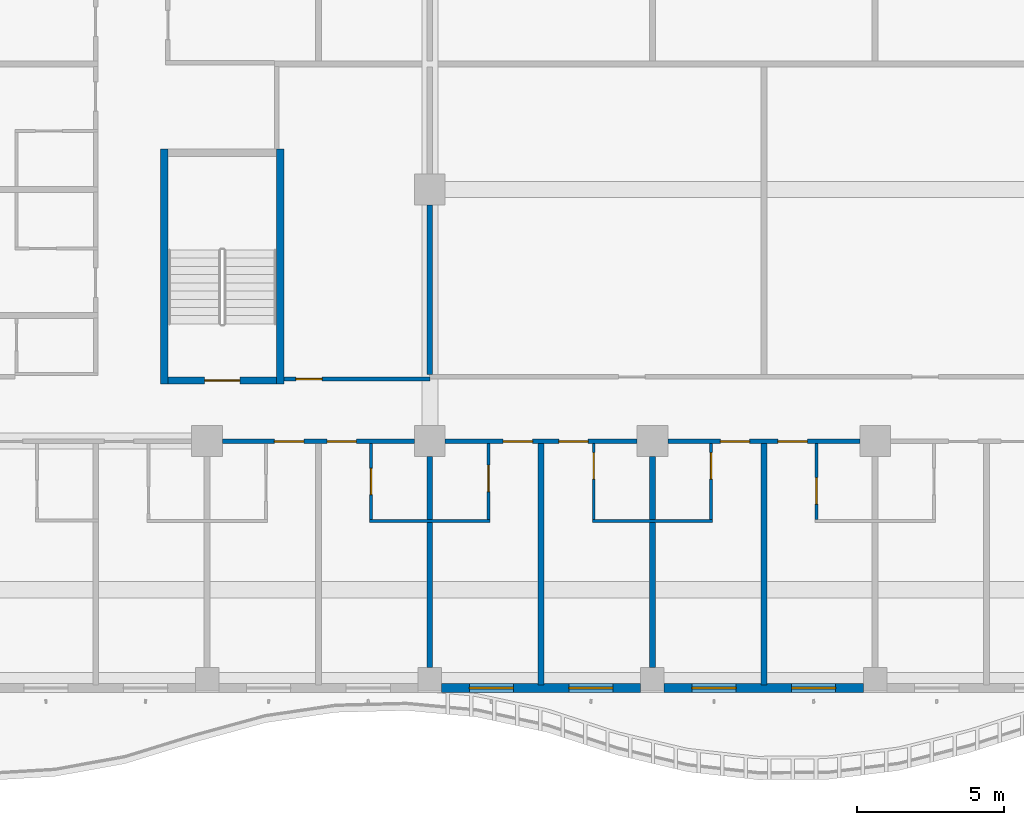
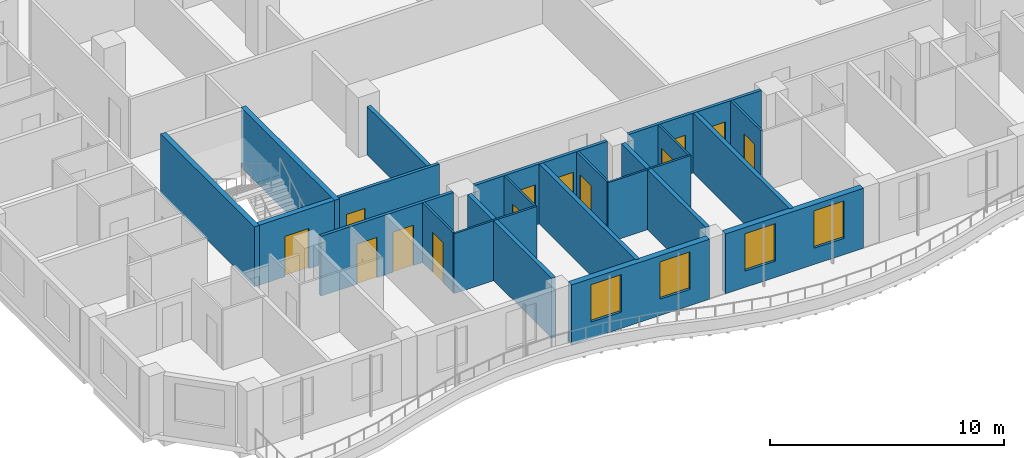
# One storey, part 3 of 22: 23 walls, 13 doors, 4 windows, 17 openings.
"""IFC4 building model written with IfcOpenShell, lengths in metres."""

from ifc_helpers import new_model, si_unit, direction, frame, frame_2d, origin, place, context, subcontext, project, spatial, rectangle, extrude, source, transform, mapped, material, layer, layer_set, type_object, element, fill, save


model = new_model("IFC4")

# Units and contexts
model_context = context("Model", 3, precision=1e-05, world=origin(), true_north=direction((0.0, 1.0)))
body_context = subcontext(model_context, "Body", "Model", "MODEL_VIEW")
ifc_project = project(units=[si_unit("LENGTHUNIT", "METRE"), si_unit("AREAUNIT", "SQUARE_METRE"), si_unit("VOLUMEUNIT", "CUBIC_METRE"), si_unit("PLANEANGLEUNIT", "RADIAN"), si_unit("MASSUNIT", "GRAM", prefix="KILO")], contexts=[model_context])

# Site, building, storey
site_placement = place(None, origin())
site = spatial("IfcSite", under=ifc_project, at=site_placement, CompositionType="ELEMENT")
building_placement = place(site_placement, origin())
building = spatial("IfcBuilding", under=site, at=building_placement, Name="Kilnfold Tower and Market Hall", CompositionType="ELEMENT")
storey_placement = place(building_placement, frame((0.0, 0.0, 171.89990234375)))
storey = spatial("IfcBuildingStorey", under=building, at=storey_placement, Name="L40", CompositionType="ELEMENT", Elevation=171.89990234375)

# Wall, openings, doors
ifc_material_1 = material(Name="Gypsum board on steel studs", Category="steel")
ifc_layer_1 = layer(ifc_material_1, 0.14990234375)
ifc_layer_set_1 = layer_set([ifc_layer_1], Name="Gypsum board on steel studs")
wall_type_1 = type_object("IfcWallType", Name="WALL CORRIDOR 150", PredefinedType="PARTITIONING", material=ifc_layer_set_1)
wall_1_placement = place(storey_placement, frame((-15.64208984375, -17.699951171875, 0.0), z_axis=(0.0, 0.0, 1.0), x_axis=(1.0, 0.0, 0.0)))
wall_1 = element("IfcWall", 1, at=wall_1_placement, inside=storey, type_object=wall_type_1, Name="Partition LY26.2", PredefinedType="PARTITIONING", context=body_context, shape_type="SweptSolid", body=[
    extrude(rectangle(XDim=6.5341796875, YDim=0.14990234375, at=frame_2d((3.26708984375, 0.0))), origin(), (0.0, 0.0, 1.0), 3.1201171875),
])
opening_1_placement = place(wall_1_placement, frame((1.76806640625, 0.0, 0.0)))
opening_1 = element("IfcOpeningElement", 2, at=opening_1_placement, cuts=wall_1, Name="Opening D1", PredefinedType="OPENING", context=body_context, shape_type="SweptSolid", body=[
    extrude(rectangle(XDim=1.0, YDim=2.10009765625, at=frame_2d((0.5, 1.050048828125))), frame((0.0, 0.0849609375, 0.0), z_axis=(0.0, -1.0, 0.0), x_axis=(1.0, 0.0, 0.0)), (0.0, 0.0, 1.0), 0.169921875),
])
opening_2_placement = place(wall_1_placement, frame((3.56005859375, 0.0, 0.0)))
opening_2 = element("IfcOpeningElement", 3, at=opening_2_placement, cuts=wall_1, Name="Opening D1", PredefinedType="OPENING", context=body_context, shape_type="SweptSolid", body=[
    extrude(rectangle(XDim=1.0, YDim=2.10009765625, at=frame_2d((0.5, 1.050048828125))), frame((0.0, 0.0849609375, 0.0), z_axis=(0.0, -1.0, 0.0), x_axis=(1.0, 0.0, 0.0)), (0.0, 0.0, 1.0), 0.169921875),
])
ifc_material_2 = material(Name="Timber veneer door leaf in steel frame", Category="steel")
door_type_1 = type_object("IfcDoorType", Name="DOOR ENTRY 1000 X2100", OperationType="NOTDEFINED", PredefinedType="DOOR", material=ifc_material_2)
door_1_placement = place(opening_1_placement, origin())
door_1 = element("IfcDoor", 4, at=door_1_placement, inside=storey, type_object=door_type_1, Name="Door D1", OperationType="SINGLE_SWING_RIGHT", OverallHeight=2.10009765625, OverallWidth=1.0, PredefinedType="DOOR", context=body_context, shape_type="SweptSolid", body=[
    extrude(rectangle(XDim=1.0, YDim=2.10009765625, at=frame_2d((0.5, 1.050048828125))), frame((0.0, 0.02490234375, 0.0), z_axis=(0.0, -1.0, 0.0), x_axis=(1.0, 0.0, 0.0)), (0.0, 0.0, 1.0), 0.050048828125),
])
fill(opening_1, door_1)
door_2_placement = place(opening_2_placement, origin())
door_2 = element("IfcDoor", 5, at=door_2_placement, inside=storey, type_object=door_type_1, Name="Door D1", OperationType="SINGLE_SWING_RIGHT", OverallHeight=2.10009765625, OverallWidth=1.0, PredefinedType="DOOR", context=body_context, shape_type="SweptSolid", body=[
    extrude(rectangle(XDim=1.0, YDim=2.10009765625, at=frame_2d((0.5, 1.050048828125))), frame((0.0, 0.02490234375, 0.0), z_axis=(0.0, -1.0, 0.0), x_axis=(1.0, 0.0, 0.0)), (0.0, 0.0, 1.0), 0.050048828125),
])
fill(opening_2, door_2)

wall_2_placement = place(storey_placement, frame((-8.05810546875, -17.699951171875, 0.0), z_axis=(0.0, 0.0, 1.0), x_axis=(1.0, 0.0, 0.0)))
wall_2 = element("IfcWall", 6, at=wall_2_placement, inside=storey, type_object=wall_type_1, Name="Partition LY26.3", PredefinedType="PARTITIONING", context=body_context, shape_type="SweptSolid", body=[
    extrude(rectangle(XDim=6.533203125, YDim=0.14990234375, at=frame_2d((3.2666015625, 0.0))), origin(), (0.0, 0.0, 1.0), 3.1201171875),
])
opening_3_placement = place(wall_2_placement, frame((1.972900390625, 0.0, 0.0)))
opening_3 = element("IfcOpeningElement", 7, at=opening_3_placement, cuts=wall_2, Name="Opening D1", PredefinedType="OPENING", context=body_context, shape_type="SweptSolid", body=[
    extrude(rectangle(XDim=1.0, YDim=2.10009765625, at=frame_2d((0.5, 1.050048828125))), frame((0.0, 0.0849609375, 0.0), z_axis=(0.0, -1.0, 0.0), x_axis=(1.0, 0.0, 0.0)), (0.0, 0.0, 1.0), 0.169921875),
])
opening_4_placement = place(wall_2_placement, frame((3.867919921875, 0.0, 0.0)))
opening_4 = element("IfcOpeningElement", 8, at=opening_4_placement, cuts=wall_2, Name="Opening D1", PredefinedType="OPENING", context=body_context, shape_type="SweptSolid", body=[
    extrude(rectangle(XDim=1.0, YDim=2.10009765625, at=frame_2d((0.5, 1.050048828125))), frame((0.0, 0.0849609375, 0.0), z_axis=(0.0, -1.0, 0.0), x_axis=(1.0, 0.0, 0.0)), (0.0, 0.0, 1.0), 0.169921875),
])
door_3_placement = place(opening_3_placement, origin())
door_3 = element("IfcDoor", 9, at=door_3_placement, inside=storey, type_object=door_type_1, Name="Door D1", OperationType="SINGLE_SWING_RIGHT", OverallHeight=2.10009765625, OverallWidth=1.0, PredefinedType="DOOR", context=body_context, shape_type="SweptSolid", body=[
    extrude(rectangle(XDim=1.0, YDim=2.10009765625, at=frame_2d((0.5, 1.050048828125))), frame((0.0, 0.02490234375, 0.0), z_axis=(0.0, -1.0, 0.0), x_axis=(1.0, 0.0, 0.0)), (0.0, 0.0, 1.0), 0.050048828125),
])
fill(opening_3, door_3)
door_4_placement = place(opening_4_placement, origin())
door_4 = element("IfcDoor", 10, at=door_4_placement, inside=storey, type_object=door_type_1, Name="Door D1", OperationType="SINGLE_SWING_LEFT", OverallHeight=2.10009765625, OverallWidth=1.0, PredefinedType="DOOR", context=body_context, shape_type="SweptSolid", body=[
    extrude(rectangle(XDim=1.0, YDim=2.10009765625, at=frame_2d((0.5, 1.050048828125))), frame((0.0, 0.02490234375, 0.0), z_axis=(0.0, -1.0, 0.0), x_axis=(1.0, 0.0, 0.0)), (0.0, 0.0, 1.0), 0.050048828125),
])
fill(opening_4, door_4)

wall_3_placement = place(storey_placement, frame((-0.47509765625, -17.699951171875, 0.0), z_axis=(0.0, 0.0, 1.0), x_axis=(1.0, 0.0, 0.0)))
wall_3 = element("IfcWall", 11, at=wall_3_placement, inside=storey, type_object=wall_type_1, Name="Partition LY26.4", PredefinedType="PARTITIONING", context=body_context, shape_type="SweptSolid", body=[
    extrude(rectangle(XDim=6.533203125, YDim=0.14990234375, at=frame_2d((3.2666015625, 0.0))), origin(), (0.0, 0.0, 1.0), 3.1201171875),
])
opening_5_placement = place(wall_3_placement, frame((1.785888671875, 0.0, 0.0)))
opening_5 = element("IfcOpeningElement", 12, at=opening_5_placement, cuts=wall_3, Name="Opening D1", PredefinedType="OPENING", context=body_context, shape_type="SweptSolid", body=[
    extrude(rectangle(XDim=1.0, YDim=2.10009765625, at=frame_2d((0.5, 1.050048828125))), frame((0.0, 0.0849609375, 0.0), z_axis=(0.0, -1.0, 0.0), x_axis=(1.0, 0.0, 0.0)), (0.0, 0.0, 1.0), 0.169921875),
])
opening_6_placement = place(wall_3_placement, frame((3.748046875, 0.0, 0.0)))
opening_6 = element("IfcOpeningElement", 13, at=opening_6_placement, cuts=wall_3, Name="Opening D1", PredefinedType="OPENING", context=body_context, shape_type="SweptSolid", body=[
    extrude(rectangle(XDim=1.0, YDim=2.10009765625, at=frame_2d((0.5, 1.050048828125))), frame((0.0, 0.0849609375, 0.0), z_axis=(0.0, -1.0, 0.0), x_axis=(1.0, 0.0, 0.0)), (0.0, 0.0, 1.0), 0.169921875),
])
door_5_placement = place(opening_5_placement, origin())
door_5 = element("IfcDoor", 14, at=door_5_placement, inside=storey, type_object=door_type_1, Name="Door D1", OperationType="SINGLE_SWING_RIGHT", OverallHeight=2.10009765625, OverallWidth=1.0, PredefinedType="DOOR", context=body_context, shape_type="SweptSolid", body=[
    extrude(rectangle(XDim=1.0, YDim=2.10009765625, at=frame_2d((0.5, 1.050048828125))), frame((0.0, 0.02490234375, 0.0), z_axis=(0.0, -1.0, 0.0), x_axis=(1.0, 0.0, 0.0)), (0.0, 0.0, 1.0), 0.050048828125),
])
fill(opening_5, door_5)
door_6_placement = place(opening_6_placement, origin())
door_6 = element("IfcDoor", 15, at=door_6_placement, inside=storey, type_object=door_type_1, Name="Door D1", OperationType="SINGLE_SWING_RIGHT", OverallHeight=2.10009765625, OverallWidth=1.0, PredefinedType="DOOR", context=body_context, shape_type="SweptSolid", body=[
    extrude(rectangle(XDim=1.0, YDim=2.10009765625, at=frame_2d((0.5, 1.050048828125))), frame((0.0, 0.02490234375, 0.0), z_axis=(0.0, -1.0, 0.0), x_axis=(1.0, 0.0, 0.0)), (0.0, 0.0, 1.0), 0.050048828125),
])
fill(opening_6, door_6)

# Wall, opening, door
wall_4_placement = place(storey_placement, frame((-8.572998046875, -15.574951171875, 0.0), z_axis=(0.0, 0.0, 1.0), x_axis=(-1.0, 0.0, 0.0)))
wall_4 = element("IfcWall", 16, at=wall_4_placement, inside=storey, type_object=wall_type_1, Name="Partition LY26.47", PredefinedType="PARTITIONING", context=body_context, shape_type="SweptSolid", body=[
    extrude(rectangle(XDim=4.97705078125, YDim=0.14990234375, at=frame_2d((2.488525390625, 0.0))), origin(), (0.0, 0.0, 1.0), 3.1201171875),
])
opening_7_placement = place(wall_4_placement, frame((3.673095703125, 0.0, 0.0)))
opening_7 = element("IfcOpeningElement", 17, at=opening_7_placement, cuts=wall_4, Name="Opening D2", PredefinedType="OPENING", context=body_context, shape_type="SweptSolid", body=[
    extrude(rectangle(XDim=0.89990234375, YDim=2.10009765625, at=frame_2d((0.449951171875, 1.050048828125))), frame((0.0, 0.0849609375, 0.0), z_axis=(0.0, -1.0, 0.0), x_axis=(1.0, 0.0, 0.0)), (0.0, 0.0, 1.0), 0.169921875),
])
ifc_material_3 = material(Name="Timber veneer door leaf in steel frame", Category="steel")
door_type_2 = type_object("IfcDoorType", Name="DOOR ROOM 900 X2100", OperationType="NOTDEFINED", PredefinedType="DOOR", material=ifc_material_3)
door_7_placement = place(opening_7_placement, origin())
door_7 = element("IfcDoor", 18, at=door_7_placement, inside=storey, type_object=door_type_2, Name="Door D2", OperationType="SINGLE_SWING_LEFT", OverallHeight=2.10009765625, OverallWidth=0.89990234375, PredefinedType="DOOR", context=body_context, shape_type="SweptSolid", body=[
    extrude(rectangle(XDim=0.89990234375, YDim=2.10009765625, at=frame_2d((0.449951171875, 1.050048828125))), frame((0.0, 0.02490234375, 0.0), z_axis=(0.0, -1.0, 0.0), x_axis=(1.0, 0.0, 0.0)), (0.0, 0.0, 1.0), 0.050048828125),
])
fill(opening_7, door_7)

ifc_material_4 = material(Name="Gypsum board on steel studs", Category="steel")
ifc_layer_2 = layer(ifc_material_4, 0.10009765625)
ifc_layer_set_2 = layer_set([ifc_layer_2], Name="Gypsum board on steel studs")
wall_type_2 = type_object("IfcWallType", Name="WALL PARTITION 100", PredefinedType="PARTITIONING", material=ifc_layer_set_2)
wall_5_placement = place(storey_placement, frame((-10.5830078125, -20.35205078125, 0.0), z_axis=(0.0, 0.0, 1.0), x_axis=(0.0, 1.0, 0.0)))
wall_5 = element("IfcWall", 19, at=wall_5_placement, inside=storey, type_object=wall_type_2, Name="Partition LY26.61", PredefinedType="PARTITIONING", context=body_context, shape_type="SweptSolid", body=[
    extrude(rectangle(XDim=2.574951171875, YDim=0.10009765625, at=frame_2d((1.28759765625, 0.0))), origin(), (0.0, 0.0, 1.0), 3.1201171875),
])
opening_8_placement = place(wall_5_placement, frame((0.8369140625, 0.0, 0.0)))
opening_8 = element("IfcOpeningElement", 20, at=opening_8_placement, cuts=wall_5, Name="Opening D3", PredefinedType="OPENING", context=body_context, shape_type="SweptSolid", body=[
    extrude(rectangle(XDim=0.89990234375, YDim=2.10009765625, at=frame_2d((0.449951171875, 1.050048828125))), frame((0.0, 0.06005859375, 0.0), z_axis=(0.0, -1.0, 0.0), x_axis=(1.0, 0.0, 0.0)), (0.0, 0.0, 1.0), 0.1201171875),
])
ifc_material_5 = material(Name="Timber veneer door leaf in steel frame", Category="steel")
door_type_3 = type_object("IfcDoorType", Name="DOOR WC 900 X2100", OperationType="NOTDEFINED", PredefinedType="DOOR", material=ifc_material_5)
door_8_placement = place(opening_8_placement, origin())
door_8 = element("IfcDoor", 21, at=door_8_placement, inside=storey, type_object=door_type_3, Name="Door D3", OperationType="SINGLE_SWING_LEFT", OverallHeight=2.10009765625, OverallWidth=0.89990234375, PredefinedType="DOOR", context=body_context, shape_type="SweptSolid", body=[
    extrude(rectangle(XDim=0.89990234375, YDim=2.10009765625, at=frame_2d((0.449951171875, 1.050048828125))), frame((0.0, 0.02490234375, 0.0), z_axis=(0.0, -1.0, 0.0), x_axis=(1.0, 0.0, 0.0)), (0.0, 0.0, 1.0), 0.050048828125),
])
fill(opening_8, door_8)

# Wall
wall_6_placement = place(storey_placement, frame((-10.633056640625, -20.402099609375, 0.0), z_axis=(0.0, 0.0, 1.0), x_axis=(1.0, 0.0, 0.0)))
element("IfcWall", 22, at=wall_6_placement, inside=storey, type_object=wall_type_2, Name="Partition LY26.62", PredefinedType="PARTITIONING", context=body_context, shape_type="SweptSolid", body=[
    extrude(rectangle(XDim=4.10009765625, YDim=0.10009765625, at=frame_2d((2.050048828125, 0.0))), origin(), (0.0, 0.0, 1.0), 3.1201171875),
])

# Wall, opening, door
wall_7_placement = place(storey_placement, frame((-6.5830078125, -17.777099609375, 0.0), z_axis=(0.0, 0.0, 1.0), x_axis=(0.0, -1.0, 0.0)))
wall_7 = element("IfcWall", 23, at=wall_7_placement, inside=storey, type_object=wall_type_2, Name="Partition LY26.65", PredefinedType="PARTITIONING", context=body_context, shape_type="SweptSolid", body=[
    extrude(rectangle(XDim=2.574951171875, YDim=0.10009765625, at=frame_2d((1.28759765625, 0.0))), origin(), (0.0, 0.0, 1.0), 3.1201171875),
])
opening_9_placement = place(wall_7_placement, frame((0.73095703125, 0.0, 0.0)))
opening_9 = element("IfcOpeningElement", 24, at=opening_9_placement, cuts=wall_7, Name="Opening D3", PredefinedType="OPENING", context=body_context, shape_type="SweptSolid", body=[
    extrude(rectangle(XDim=0.89990234375, YDim=2.10009765625, at=frame_2d((0.449951171875, 1.050048828125))), frame((0.0, 0.06005859375, 0.0), z_axis=(0.0, -1.0, 0.0), x_axis=(1.0, 0.0, 0.0)), (0.0, 0.0, 1.0), 0.1201171875),
])
door_9_placement = place(opening_9_placement, origin())
door_9 = element("IfcDoor", 25, at=door_9_placement, inside=storey, type_object=door_type_3, Name="Door D3", OperationType="SINGLE_SWING_RIGHT", OverallHeight=2.10009765625, OverallWidth=0.89990234375, PredefinedType="DOOR", context=body_context, shape_type="SweptSolid", body=[
    extrude(rectangle(XDim=0.89990234375, YDim=2.10009765625, at=frame_2d((0.449951171875, 1.050048828125))), frame((0.0, 0.02490234375, 0.0), z_axis=(0.0, -1.0, 0.0), x_axis=(1.0, 0.0, 0.0)), (0.0, 0.0, 1.0), 0.050048828125),
])
fill(opening_9, door_9)

wall_8_placement = place(storey_placement, frame((-3.0, -20.35205078125, 0.0), z_axis=(0.0, 0.0, 1.0), x_axis=(0.0, 1.0, 0.0)))
wall_8 = element("IfcWall", 26, at=wall_8_placement, inside=storey, type_object=wall_type_2, Name="Partition LY26.67", PredefinedType="PARTITIONING", context=body_context, shape_type="SweptSolid", body=[
    extrude(rectangle(XDim=2.574951171875, YDim=0.10009765625, at=frame_2d((1.28759765625, 0.0))), origin(), (0.0, 0.0, 1.0), 3.1201171875),
])
opening_10_placement = place(wall_8_placement, frame((1.368896484375, 0.0, 0.0)))
opening_10 = element("IfcOpeningElement", 27, at=opening_10_placement, cuts=wall_8, Name="Opening D3", PredefinedType="OPENING", context=body_context, shape_type="SweptSolid", body=[
    extrude(rectangle(XDim=0.89990234375, YDim=2.10009765625, at=frame_2d((0.449951171875, 1.050048828125))), frame((0.0, 0.06005859375, 0.0), z_axis=(0.0, -1.0, 0.0), x_axis=(1.0, 0.0, 0.0)), (0.0, 0.0, 1.0), 0.1201171875),
])
door_10_placement = place(opening_10_placement, origin())
door_10 = element("IfcDoor", 28, at=door_10_placement, inside=storey, type_object=door_type_3, Name="Door D3", OperationType="SINGLE_SWING_RIGHT", OverallHeight=2.10009765625, OverallWidth=0.89990234375, PredefinedType="DOOR", context=body_context, shape_type="SweptSolid", body=[
    extrude(rectangle(XDim=0.89990234375, YDim=2.10009765625, at=frame_2d((0.449951171875, 1.050048828125))), frame((0.0, 0.02490234375, 0.0), z_axis=(0.0, -1.0, 0.0), x_axis=(1.0, 0.0, 0.0)), (0.0, 0.0, 1.0), 0.050048828125),
])
fill(opening_10, door_10)

# Wall
wall_9_placement = place(storey_placement, frame((-3.050048828125, -20.402099609375, 0.0), z_axis=(0.0, 0.0, 1.0), x_axis=(1.0, 0.0, 0.0)))
element("IfcWall", 29, at=wall_9_placement, inside=storey, type_object=wall_type_2, Name="Partition LY26.68", PredefinedType="PARTITIONING", context=body_context, shape_type="SweptSolid", body=[
    extrude(rectangle(XDim=4.10009765625, YDim=0.10009765625, at=frame_2d((2.050048828125, 0.0))), origin(), (0.0, 0.0, 1.0), 3.1201171875),
])

# Wall, opening, door
wall_10_placement = place(storey_placement, frame((1.0, -17.777099609375, 0.0), z_axis=(0.0, 0.0, 1.0), x_axis=(0.0, -1.0, 0.0)))
wall_10 = element("IfcWall", 30, at=wall_10_placement, inside=storey, type_object=wall_type_2, Name="Partition LY26.71", PredefinedType="PARTITIONING", context=body_context, shape_type="SweptSolid", body=[
    extrude(rectangle(XDim=2.574951171875, YDim=0.10009765625, at=frame_2d((1.28759765625, 0.0))), origin(), (0.0, 0.0, 1.0), 3.1201171875),
])
opening_11_placement = place(wall_10_placement, frame((0.305908203125, 0.0, 0.0)))
opening_11 = element("IfcOpeningElement", 31, at=opening_11_placement, cuts=wall_10, Name="Opening D3", PredefinedType="OPENING", context=body_context, shape_type="SweptSolid", body=[
    extrude(rectangle(XDim=0.89990234375, YDim=2.10009765625, at=frame_2d((0.449951171875, 1.050048828125))), frame((0.0, 0.06005859375, 0.0), z_axis=(0.0, -1.0, 0.0), x_axis=(1.0, 0.0, 0.0)), (0.0, 0.0, 1.0), 0.1201171875),
])
door_11_placement = place(opening_11_placement, origin())
door_11 = element("IfcDoor", 32, at=door_11_placement, inside=storey, type_object=door_type_3, Name="Door D3", OperationType="SINGLE_SWING_RIGHT", OverallHeight=2.10009765625, OverallWidth=0.89990234375, PredefinedType="DOOR", context=body_context, shape_type="SweptSolid", body=[
    extrude(rectangle(XDim=0.89990234375, YDim=2.10009765625, at=frame_2d((0.449951171875, 1.050048828125))), frame((0.0, 0.02490234375, 0.0), z_axis=(0.0, -1.0, 0.0), x_axis=(1.0, 0.0, 0.0)), (0.0, 0.0, 1.0), 0.050048828125),
])
fill(opening_11, door_11)

wall_11_placement = place(storey_placement, frame((4.5830078125, -20.35205078125, 0.0), z_axis=(0.0, 0.0, 1.0), x_axis=(0.0, 1.0, 0.0)))
wall_11 = element("IfcWall", 33, at=wall_11_placement, inside=storey, type_object=wall_type_2, Name="Partition LY26.73", PredefinedType="PARTITIONING", context=body_context, shape_type="SweptSolid", body=[
    extrude(rectangle(XDim=2.574951171875, YDim=0.10009765625, at=frame_2d((1.28759765625, 0.0))), origin(), (0.0, 0.0, 1.0), 3.1201171875),
])
opening_12_placement = place(wall_11_placement, frame((0.51904296875, 0.0, 0.0)))
opening_12 = element("IfcOpeningElement", 34, at=opening_12_placement, cuts=wall_11, Name="Opening D3", PredefinedType="OPENING", context=body_context, shape_type="SweptSolid", body=[
    extrude(rectangle(XDim=0.89990234375, YDim=2.10009765625, at=frame_2d((0.449951171875, 1.050048828125))), frame((0.0, 0.06005859375, 0.0), z_axis=(0.0, -1.0, 0.0), x_axis=(1.0, 0.0, 0.0)), (0.0, 0.0, 1.0), 0.1201171875),
])
door_12_placement = place(opening_12_placement, origin())
door_12 = element("IfcDoor", 35, at=door_12_placement, inside=storey, type_object=door_type_3, Name="Door D3", OperationType="SINGLE_SWING_RIGHT", OverallHeight=2.10009765625, OverallWidth=0.89990234375, PredefinedType="DOOR", context=body_context, shape_type="SweptSolid", body=[
    extrude(rectangle(XDim=0.89990234375, YDim=2.10009765625, at=frame_2d((0.449951171875, 1.050048828125))), frame((0.0, 0.02490234375, 0.0), z_axis=(0.0, -1.0, 0.0), x_axis=(1.0, 0.0, 0.0)), (0.0, 0.0, 1.0), 0.050048828125),
])
fill(opening_12, door_12)

# Walls
ifc_material_6 = material(Name="Gypsum board on steel studs", Category="steel")
ifc_layer_3 = layer(ifc_material_6, 0.199951171875)
ifc_layer_set_3 = layer_set([ifc_layer_3], Name="Gypsum board on steel studs")
wall_type_3 = type_object("IfcWallType", Name="WALL PARTY 200", PredefinedType="PARTITIONING", material=ifc_layer_set_3)
wall_12_placement = place(storey_placement, frame((-8.5830078125, -25.39990234375, 0.0), z_axis=(0.0, 0.0, 1.0), x_axis=(0.0, 1.0, 0.0)))
element("IfcWall", 36, at=wall_12_placement, inside=storey, type_object=wall_type_3, Name="Partition LY26.63", PredefinedType="PARTITIONING", context=body_context, shape_type="SweptSolid", body=[
    extrude(rectangle(XDim=4.947998046875, YDim=0.199951171875, at=frame_2d((2.47412109375, 0.0))), origin(), (0.0, 0.0, 1.0), 3.1201171875),
])
wall_13_placement = place(storey_placement, frame((-8.5830078125, -20.35205078125, 0.0), z_axis=(0.0, 0.0, 1.0), x_axis=(0.0, 1.0, 0.0)))
element("IfcWall", 37, at=wall_13_placement, inside=storey, type_object=wall_type_3, Name="Partition LY26.64", PredefinedType="PARTITIONING", context=body_context, shape_type="SweptSolid", body=[
    extrude(rectangle(XDim=2.14013671875, YDim=0.199951171875, at=frame_2d((1.070068359375, 0.0))), origin(), (0.0, 0.0, 1.0), 3.1201171875),
])
wall_14_placement = place(storey_placement, frame((-4.7919921875, -26.0, 0.0), z_axis=(0.0, 0.0, 1.0), x_axis=(0.0, 1.0, 0.0)))
element("IfcWall", 38, at=wall_14_placement, inside=storey, type_object=wall_type_3, Name="Partition LY26.66", PredefinedType="PARTITIONING", context=body_context, shape_type="SweptSolid", body=[
    extrude(rectangle(XDim=8.222900390625, YDim=0.199951171875, at=frame_2d((4.111328125, 0.0))), origin(), (0.0, 0.0, 1.0), 3.1201171875),
])
wall_15_placement = place(storey_placement, frame((-1.0, -25.39990234375, 0.0), z_axis=(0.0, 0.0, 1.0), x_axis=(0.0, 1.0, 0.0)))
element("IfcWall", 39, at=wall_15_placement, inside=storey, type_object=wall_type_3, Name="Partition LY26.69", PredefinedType="PARTITIONING", context=body_context, shape_type="SweptSolid", body=[
    extrude(rectangle(XDim=4.947998046875, YDim=0.199951171875, at=frame_2d((2.47412109375, 0.0))), origin(), (0.0, 0.0, 1.0), 3.1201171875),
])
wall_16_placement = place(storey_placement, frame((-1.0, -20.35205078125, 0.0), z_axis=(0.0, 0.0, 1.0), x_axis=(0.0, 1.0, 0.0)))
element("IfcWall", 40, at=wall_16_placement, inside=storey, type_object=wall_type_3, Name="Partition LY26.70", PredefinedType="PARTITIONING", context=body_context, shape_type="SweptSolid", body=[
    extrude(rectangle(XDim=2.14013671875, YDim=0.199951171875, at=frame_2d((1.070068359375, 0.0))), origin(), (0.0, 0.0, 1.0), 3.1201171875),
])
wall_17_placement = place(storey_placement, frame((2.7919921875, -26.0, 0.0), z_axis=(0.0, 0.0, 1.0), x_axis=(0.0, 1.0, 0.0)))
element("IfcWall", 41, at=wall_17_placement, inside=storey, type_object=wall_type_3, Name="Partition LY26.72", PredefinedType="PARTITIONING", context=body_context, shape_type="SweptSolid", body=[
    extrude(rectangle(XDim=8.222900390625, YDim=0.199951171875, at=frame_2d((4.111328125, 0.0))), origin(), (0.0, 0.0, 1.0), 3.1201171875),
])
wall_18_placement = place(storey_placement, frame((-8.5830078125, -15.423095703125, 0.0), z_axis=(0.0, 0.0, 1.0), x_axis=(0.0, 1.0, 0.0)))
element("IfcWall", 42, at=wall_18_placement, inside=storey, type_object=wall_type_3, Name="Partition LY26.141", PredefinedType="PARTITIONING", context=body_context, shape_type="SweptSolid", body=[
    extrude(rectangle(XDim=5.773193359375, YDim=0.199951171875, at=frame_2d((2.88671875, 0.0))), origin(), (0.0, 0.0, 1.0), 2.52001953125),
])

# Wall, opening, door
ifc_material_7 = material(Name="Concrete C70", Category="concrete")
ifc_layer_4 = layer(ifc_material_7, 0.25)
ifc_layer_set_4 = layer_set([ifc_layer_4], Name="Concrete C70")
wall_type_4 = type_object("IfcWallType", Name="CORE WALL 250 C70", PredefinedType="SHEAR", material=ifc_layer_set_4)
shared_shape_1 = source(origin(), body_context, "Body", "SweptSolid", [
    extrude(rectangle(XDim=3.699951171875, YDim=0.25, at=frame_2d((1.85009765625, 0.0))), origin(), (0.0, 0.0, 1.0), 3.1201171875),
])
wall_19_placement = place(storey_placement, frame((-17.5, -15.625, 0.0), z_axis=(0.0, 0.0, 1.0), x_axis=(1.0, 0.0, 0.0)))
wall_19 = element("IfcWall", 43, at=wall_19_placement, inside=storey, type_object=wall_type_4, Name="Stair enclosure ST3", PredefinedType="SHEAR", context=body_context, shape_type="MappedRepresentation", body=[
    mapped(shared_shape_1, transform((0.0, 0.0, 0.0))),
])
opening_13_placement = place(wall_19_placement, frame((1.25, 0.0, 0.0)))
opening_13 = element("IfcOpeningElement", 44, at=opening_13_placement, cuts=wall_19, Name="Opening SD1", PredefinedType="OPENING", context=body_context, shape_type="SweptSolid", body=[
    extrude(rectangle(XDim=1.199951171875, YDim=2.10009765625, at=frame_2d((0.60009765625, 1.050048828125))), frame((0.0, 0.135009765625, 0.0), z_axis=(0.0, -1.0, 0.0), x_axis=(1.0, 0.0, 0.0)), (0.0, 0.0, 1.0), 0.27001953125),
])
ifc_material_8 = material(Name="Steel door set with fire-resisting leaf", Category="steel")
door_type_4 = type_object("IfcDoorType", Name="STAIR FLOOR DOOR 1200X2100", OperationType="NOTDEFINED", PredefinedType="DOOR", material=ifc_material_8)
door_13_placement = place(opening_13_placement, origin())
door_13 = element("IfcDoor", 45, at=door_13_placement, inside=storey, type_object=door_type_4, Name="Exit stair ST3 door", OperationType="DOUBLE_DOOR_SINGLE_SWING", OverallHeight=2.10009765625, OverallWidth=1.199951171875, PredefinedType="DOOR", context=body_context, shape_type="SweptSolid", body=[
    extrude(rectangle(XDim=1.199951171875, YDim=2.10009765625, at=frame_2d((0.60009765625, 1.050048828125))), frame((0.0, 0.02490234375, 0.0), z_axis=(0.0, -1.0, 0.0), x_axis=(1.0, 0.0, 0.0)), (0.0, 0.0, 1.0), 0.050048828125),
])
fill(opening_13, door_13)

# Walls
shared_shape_2 = source(origin(), body_context, "Body", "SweptSolid", [
    extrude(rectangle(XDim=8.0, YDim=0.25, at=frame_2d((4.0, 0.0))), origin(), (0.0, 0.0, 1.0), 3.1201171875),
])
for number, where, z_axis, x_axis, name in (
    (46, (-17.625, -15.75, 0.0), (0.0, 0.0, 1.0), (0.0, 1.0, 0.0), "Stair enclosure ST3"),
    (47, (-13.675048828125, -15.75, 0.0), (0.0, 0.0, 1.0), (0.0, 1.0, 0.0), "Stair enclosure ST3"),
):
    element("IfcWall", number, at=place(storey_placement, frame(where, z_axis=z_axis, x_axis=x_axis)), inside=storey, type_object=wall_type_4, Name=name, PredefinedType="SHEAR", context=body_context, shape_type="MappedRepresentation", body=[
        mapped(shared_shape_2, transform((0.0, 0.0, 0.0))),
    ])

# Wall, openings, windows
ifc_material_9 = material(Name="Precast concrete C50/60", Category="concrete")
ifc_layer_5 = layer(ifc_material_9, 0.300048828125)
ifc_layer_set_5 = layer_set([ifc_layer_5], Name="Precast concrete C50/60")
wall_type_5 = type_object("IfcWallType", Name="PRECAST WALL 300", PredefinedType="SOLIDWALL", material=ifc_layer_set_5)
shared_shape_3 = source(origin(), body_context, "Body", "SweptSolid", [
    extrude(rectangle(XDim=6.783447265625, YDim=0.300048828125, at=frame_2d((3.3916015625, 0.0))), origin(), (0.0, 0.0, 1.0), 3.1201171875),
])
wall_20_placement = place(storey_placement, frame((-8.183349609375, -26.10009765625, 0.0), z_axis=(0.0, 0.0, 1.0), x_axis=(1.0, 0.0, 0.0)))
wall_20 = element("IfcWall", 48, at=wall_20_placement, inside=storey, type_object=wall_type_5, Name="External wall L40 S", PredefinedType="SOLIDWALL", context=body_context, shape_type="MappedRepresentation", body=[
    mapped(shared_shape_3, transform((0.0, 0.0, 0.0))),
])
opening_14_placement = place(wall_20_placement, frame((0.94580078125, 0.0, 0.85009765625)))
opening_14 = element("IfcOpeningElement", 49, at=opening_14_placement, cuts=wall_20, Name="Opening W4", PredefinedType="OPENING", context=body_context, shape_type="SweptSolid", body=[
    extrude(rectangle(XDim=1.5, YDim=1.949951171875, at=frame_2d((0.75, 0.97509765625))), frame((0.0, 0.16015625, 0.0), z_axis=(0.0, -1.0, 0.0), x_axis=(1.0, 0.0, 0.0)), (0.0, 0.0, 1.0), 0.320068359375),
])
opening_15_placement = place(wall_20_placement, frame((4.33740234375, 0.0, 0.85009765625)))
opening_15 = element("IfcOpeningElement", 50, at=opening_15_placement, cuts=wall_20, Name="Opening W4", PredefinedType="OPENING", context=body_context, shape_type="SweptSolid", body=[
    extrude(rectangle(XDim=1.5, YDim=1.949951171875, at=frame_2d((0.75, 0.97509765625))), frame((0.0, 0.16015625, 0.0), z_axis=(0.0, -1.0, 0.0), x_axis=(1.0, 0.0, 0.0)), (0.0, 0.0, 1.0), 0.320068359375),
])
ifc_material_10 = material(Name="Aluminium frame and double glazing", Category="aluminium")
window_type = type_object("IfcWindowType", Name="WINDOW W4 1500X1950", PartitioningType="SINGLE_PANEL", PredefinedType="WINDOW", material=ifc_material_10)
window_1_placement = place(opening_14_placement, origin())
window_1 = element("IfcWindow", 51, at=window_1_placement, inside=storey, type_object=window_type, Name="Window W4 L40 S-1", OverallHeight=1.949951171875, OverallWidth=1.5, PartitioningType="SINGLE_PANEL", PredefinedType="WINDOW", context=body_context, shape_type="SweptSolid", body=[
    extrude(rectangle(XDim=1.5, YDim=1.949951171875, at=frame_2d((0.75, 0.97509765625))), frame((0.0, 0.030029296875, 0.0), z_axis=(0.0, -1.0, 0.0), x_axis=(1.0, 0.0, 0.0)), (0.0, 0.0, 1.0), 0.06005859375),
])
fill(opening_14, window_1)
window_2_placement = place(opening_15_placement, origin())
window_2 = element("IfcWindow", 52, at=window_2_placement, inside=storey, type_object=window_type, Name="Window W4 L40 S-2", OverallHeight=1.949951171875, OverallWidth=1.5, PartitioningType="SINGLE_PANEL", PredefinedType="WINDOW", context=body_context, shape_type="SweptSolid", body=[
    extrude(rectangle(XDim=1.5, YDim=1.949951171875, at=frame_2d((0.75, 0.97509765625))), frame((0.0, 0.030029296875, 0.0), z_axis=(0.0, -1.0, 0.0), x_axis=(1.0, 0.0, 0.0)), (0.0, 0.0, 1.0), 0.06005859375),
])
fill(opening_15, window_2)

wall_21_placement = place(storey_placement, frame((-0.60009765625, -26.10009765625, 0.0), z_axis=(0.0, 0.0, 1.0), x_axis=(1.0, 0.0, 0.0)))
wall_21 = element("IfcWall", 53, at=wall_21_placement, inside=storey, type_object=wall_type_5, Name="External wall L40 S", PredefinedType="SOLIDWALL", context=body_context, shape_type="MappedRepresentation", body=[
    mapped(shared_shape_3, transform((0.0, 0.0, 0.0))),
])
opening_16_placement = place(wall_21_placement, frame((0.94580078125, 0.0, 0.85009765625)))
opening_16 = element("IfcOpeningElement", 54, at=opening_16_placement, cuts=wall_21, Name="Opening W4", PredefinedType="OPENING", context=body_context, shape_type="SweptSolid", body=[
    extrude(rectangle(XDim=1.5, YDim=1.949951171875, at=frame_2d((0.75, 0.97509765625))), frame((0.0, 0.16015625, 0.0), z_axis=(0.0, -1.0, 0.0), x_axis=(1.0, 0.0, 0.0)), (0.0, 0.0, 1.0), 0.320068359375),
])
opening_17_placement = place(wall_21_placement, frame((4.33740234375, 0.0, 0.85009765625)))
opening_17 = element("IfcOpeningElement", 55, at=opening_17_placement, cuts=wall_21, Name="Opening W4", PredefinedType="OPENING", context=body_context, shape_type="SweptSolid", body=[
    extrude(rectangle(XDim=1.5, YDim=1.949951171875, at=frame_2d((0.75, 0.97509765625))), frame((0.0, 0.16015625, 0.0), z_axis=(0.0, -1.0, 0.0), x_axis=(1.0, 0.0, 0.0)), (0.0, 0.0, 1.0), 0.320068359375),
])
window_3_placement = place(opening_16_placement, origin())
window_3 = element("IfcWindow", 56, at=window_3_placement, inside=storey, type_object=window_type, Name="Window W4 L40 S-1", OverallHeight=1.949951171875, OverallWidth=1.5, PartitioningType="SINGLE_PANEL", PredefinedType="WINDOW", context=body_context, shape_type="SweptSolid", body=[
    extrude(rectangle(XDim=1.5, YDim=1.949951171875, at=frame_2d((0.75, 0.97509765625))), frame((0.0, 0.030029296875, 0.0), z_axis=(0.0, -1.0, 0.0), x_axis=(1.0, 0.0, 0.0)), (0.0, 0.0, 1.0), 0.06005859375),
])
fill(opening_16, window_3)
window_4_placement = place(opening_17_placement, origin())
window_4 = element("IfcWindow", 57, at=window_4_placement, inside=storey, type_object=window_type, Name="Window W4 L40 S-2", OverallHeight=1.949951171875, OverallWidth=1.5, PartitioningType="SINGLE_PANEL", PredefinedType="WINDOW", context=body_context, shape_type="SweptSolid", body=[
    extrude(rectangle(XDim=1.5, YDim=1.949951171875, at=frame_2d((0.75, 0.97509765625))), frame((0.0, 0.030029296875, 0.0), z_axis=(0.0, -1.0, 0.0), x_axis=(1.0, 0.0, 0.0)), (0.0, 0.0, 1.0), 0.06005859375),
])
fill(opening_17, window_4)

save(model, "model.ifc")
